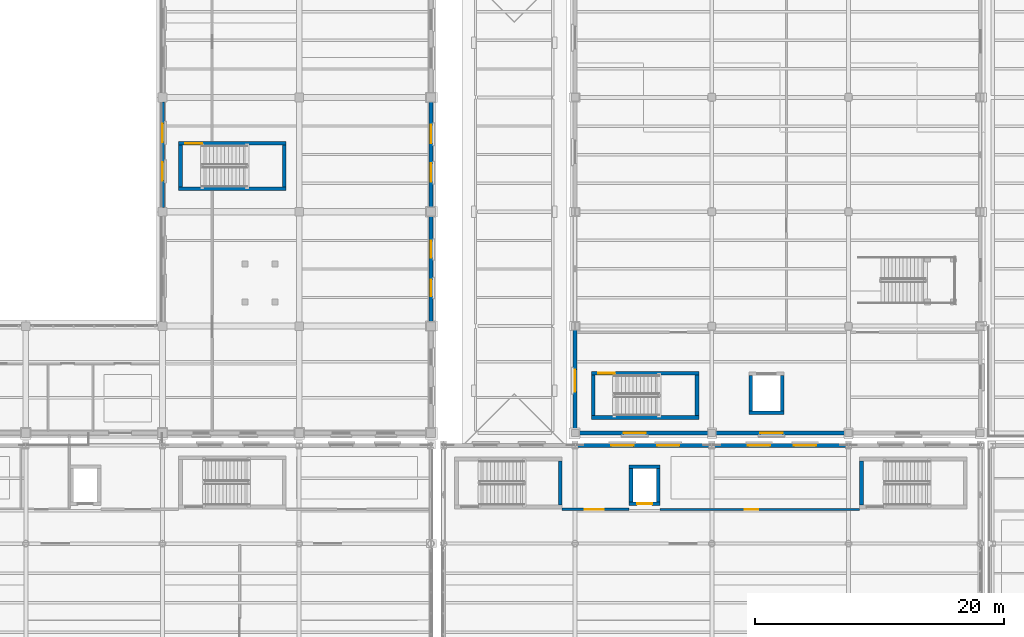
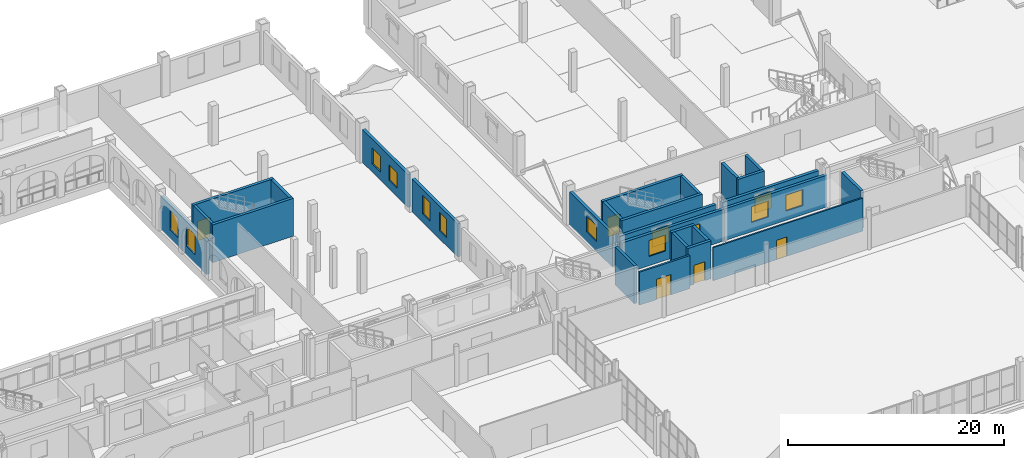
# One storey, part 126 of 156: 27 walls, 13 windows, 5 doors, 18 openings.
"""IFC4 building model written with IfcOpenShell, lengths in metres."""

from ifc_helpers import new_model, si_unit, direction, frame, frame_2d, origin, place, context, subcontext, project, spatial, rectangle, extrude, material, layer, layer_set, type_object, element, fill, save


model = new_model("IFC4")

# Units and contexts
model_context = context("Model", 3, precision=1e-05, world=origin(), true_north=direction((0.0, 1.0)))
body_context = subcontext(model_context, "Body", "Model", "MODEL_VIEW")
ifc_project = project(units=[si_unit("LENGTHUNIT", "METRE"), si_unit("AREAUNIT", "SQUARE_METRE"), si_unit("VOLUMEUNIT", "CUBIC_METRE"), si_unit("PLANEANGLEUNIT", "RADIAN"), si_unit("MASSUNIT", "GRAM", prefix="KILO")], contexts=[model_context])

# Site, building, storey
site_placement = place(None, origin())
site = spatial("IfcSite", under=ifc_project, at=site_placement, CompositionType="ELEMENT")
building_placement = place(site_placement, origin())
building = spatial("IfcBuilding", under=site, at=building_placement, Name="Caurita Quay Ferry Terminal", CompositionType="ELEMENT")
storey_placement = place(building_placement, frame((0.0, 0.0, 5.39990234375)))
storey = spatial("IfcBuildingStorey", under=building, at=storey_placement, Name="L01", CompositionType="ELEMENT", Elevation=5.39990234375)

# Wall
ifc_material_1 = material(Name="Reinforced concrete C35/45", Category="concrete")
ifc_layer_1 = layer(ifc_material_1, 0.300048828125, Name="Interior shear wall 300 mm")
ifc_layer_set_1 = layer_set([ifc_layer_1], Name="Reinforced concrete C35/45")
wall_type_1 = type_object("IfcWallType", Name="WL-CORE-300", PredefinedType="SHEAR", material=ifc_layer_set_1)
wall_1_placement = place(storey_placement, frame((67.300048828125, 91.25, 0.0), z_axis=(0.0, 0.0, 1.0), x_axis=(1.0, 0.0, 0.0)))
element("IfcWall", 1, at=wall_1_placement, inside=storey, type_object=wall_type_1, Name="L01 ST-04 Core Wall South", PredefinedType="SHEAR", context=body_context, shape_type="SweptSolid", body=[
    extrude(rectangle(XDim=8.64990234375, YDim=0.300048828125, at=frame_2d((4.324951171875, 0.0))), origin(), (0.0, 0.0, 1.0), 4.280029296875),
])

# Wall, opening, door
wall_2_placement = place(storey_placement, frame((75.949951171875, 94.909912109375, 0.0), z_axis=(0.0, 0.0, 1.0), x_axis=(-1.0, 0.0, 0.0)))
wall_2 = element("IfcWall", 2, at=wall_2_placement, inside=storey, type_object=wall_type_1, Name="L01 ST-04 Core Wall North", PredefinedType="SHEAR", context=body_context, shape_type="SweptSolid", body=[
    extrude(rectangle(XDim=8.64990234375, YDim=0.300048828125, at=frame_2d((4.324951171875, 0.0))), origin(), (0.0, 0.0, 1.0), 4.280029296875),
])
opening_1_placement = place(wall_2_placement, frame((6.75, 0.0, 0.0)))
opening_1 = element("IfcOpeningElement", 3, at=opening_1_placement, cuts=wall_2, Name="Opening SD-01", PredefinedType="OPENING", context=body_context, shape_type="SweptSolid", body=[
    extrude(rectangle(XDim=1.35009765625, YDim=2.199951171875, at=frame_2d((0.675048828125, 1.10009765625))), frame((0.0, 0.159912109375, 0.0), z_axis=(0.0, -1.0, 0.0), x_axis=(1.0, 0.0, 0.0)), (0.0, 0.0, 1.0), 0.320068359375),
])
ifc_material_2 = material(Name="Anodized aluminium 6063-T6", Category="aluminium")
door_type_1 = type_object("IfcDoorType", Name="DR-ST-1200", OperationType="NOTDEFINED", PredefinedType="DOOR", material=ifc_material_2)
door_1_placement = place(opening_1_placement, origin())
door_1 = element("IfcDoor", 4, at=door_1_placement, inside=storey, type_object=door_type_1, Name="L01 Exit Stair ST-04 Fire Door", OperationType="SINGLE_SWING_RIGHT", OverallHeight=2.199951171875, OverallWidth=1.35009765625, PredefinedType="DOOR", context=body_context, shape_type="SweptSolid", body=[
    extrude(rectangle(XDim=1.35009765625, YDim=2.199951171875, at=frame_2d((0.675048828125, 1.10009765625))), frame((0.0, 0.02490234375, 0.0), z_axis=(0.0, -1.0, 0.0), x_axis=(1.0, 0.0, 0.0)), (0.0, 0.0, 1.0), 0.050048828125),
])
fill(opening_1, door_1)

# Walls
for number, where, z_axis, x_axis, name in (
    (5, (67.449951171875, 94.760009765625, 0.0), (0.0, 0.0, 1.0), (0.0, -1.0, 0.0), "L01 ST-04 Core Wall West"),
    (6, (75.800048828125, 91.39990234375, 0.0), (0.0, 0.0, 1.0), (0.0, 1.0, 0.0), "L01 ST-04 Core Wall East"),
):
    element("IfcWall", number, at=place(storey_placement, frame(where, z_axis=z_axis, x_axis=x_axis)), inside=storey, type_object=wall_type_1, Name=name, PredefinedType="SHEAR", context=body_context, shape_type="SweptSolid", body=[
        extrude(rectangle(XDim=3.360107421875, YDim=0.300048828125, at=frame_2d((1.68017578125, 0.0))), origin(), (0.0, 0.0, 1.0), 4.280029296875),
    ])
for number, where, z_axis, x_axis, name in (
    (7, (98.0, 65.800048828125, 0.0), (0.0, 0.0, 1.0), (0.0, 1.0, 0.0), "L01 ST-08 Core Wall East"),
    (8, (122.25, 69.360107421875, 0.0), (0.0, 0.0, 1.0), (0.0, -1.0, 0.0), "L01 ST-09 Core Wall West"),
):
    element("IfcWall", number, at=place(storey_placement, frame(where, z_axis=z_axis, x_axis=x_axis)), inside=storey, type_object=wall_type_1, Name=name, PredefinedType="SHEAR", context=body_context, shape_type="SweptSolid", body=[
        extrude(rectangle(XDim=3.56005859375, YDim=0.300048828125, at=frame_2d((1.780029296875, 0.0))), origin(), (0.0, 0.0, 1.0), 4.280029296875),
    ])
wall_3_placement = place(storey_placement, frame((100.5, 72.85009765625, 0.0), z_axis=(0.0, 0.0, 1.0), x_axis=(1.0, 0.0, 0.0)))
element("IfcWall", 9, at=wall_3_placement, inside=storey, type_object=wall_type_1, Name="L01 ST-12 Core Wall South", PredefinedType="SHEAR", context=body_context, shape_type="SweptSolid", body=[
    extrude(rectangle(XDim=8.64990234375, YDim=0.300048828125, at=frame_2d((4.324951171875, 0.0))), origin(), (0.0, 0.0, 1.0), 4.2900390625),
])

# Wall, opening, door
wall_4_placement = place(storey_placement, frame((109.14990234375, 76.409912109375, 0.0), z_axis=(0.0, 0.0, 1.0), x_axis=(-1.0, 0.0, 0.0)))
wall_4 = element("IfcWall", 10, at=wall_4_placement, inside=storey, type_object=wall_type_1, Name="L01 ST-12 Core Wall North", PredefinedType="SHEAR", context=body_context, shape_type="SweptSolid", body=[
    extrude(rectangle(XDim=8.64990234375, YDim=0.300048828125, at=frame_2d((4.324951171875, 0.0))), origin(), (0.0, 0.0, 1.0), 4.2900390625),
])
opening_2_placement = place(wall_4_placement, frame((6.75, 0.0, 0.0)))
opening_2 = element("IfcOpeningElement", 11, at=opening_2_placement, cuts=wall_4, Name="Opening SD-01", PredefinedType="OPENING", context=body_context, shape_type="SweptSolid", body=[
    extrude(rectangle(XDim=1.35009765625, YDim=2.199951171875, at=frame_2d((0.675048828125, 1.10009765625))), frame((0.0, 0.159912109375, 0.0), z_axis=(0.0, -1.0, 0.0), x_axis=(1.0, 0.0, 0.0)), (0.0, 0.0, 1.0), 0.320068359375),
])
door_2_placement = place(opening_2_placement, origin())
door_2 = element("IfcDoor", 12, at=door_2_placement, inside=storey, type_object=door_type_1, Name="L01 Exit Stair ST-12 Fire Door", OperationType="SINGLE_SWING_LEFT", OverallHeight=2.199951171875, OverallWidth=1.35009765625, PredefinedType="DOOR", context=body_context, shape_type="SweptSolid", body=[
    extrude(rectangle(XDim=1.35009765625, YDim=2.199951171875, at=frame_2d((0.675048828125, 1.10009765625))), frame((0.0, 0.02490234375, 0.0), z_axis=(0.0, -1.0, 0.0), x_axis=(1.0, 0.0, 0.0)), (0.0, 0.0, 1.0), 0.050048828125),
])
fill(opening_2, door_2)

# Walls
for number, where, z_axis, x_axis, name in (
    (13, (100.64990234375, 76.260009765625, 0.0), (0.0, 0.0, 1.0), (0.0, -1.0, 0.0), "L01 ST-12 Core Wall West"),
    (14, (109.0, 73.0, 0.0), (0.0, 0.0, 1.0), (0.0, 1.0, 0.0), "L01 ST-12 Core Wall East"),
):
    element("IfcWall", number, at=place(storey_placement, frame(where, z_axis=z_axis, x_axis=x_axis)), inside=storey, type_object=wall_type_1, Name=name, PredefinedType="SHEAR", context=body_context, shape_type="SweptSolid", body=[
        extrude(rectangle(XDim=3.260009765625, YDim=0.300048828125, at=frame_2d((1.6298828125, 0.0))), origin(), (0.0, 0.0, 1.0), 4.2900390625),
    ])

# Wall, opening, door
wall_5_placement = place(storey_placement, frame((103.554931640625, 65.905029296875, 0.0), z_axis=(0.0, 0.0, 1.0), x_axis=(1.0, 0.0, 0.0)))
wall_5 = element("IfcWall", 15, at=wall_5_placement, inside=storey, type_object=wall_type_1, Name="L01 Lift LP-03 Shaft Wall South", PredefinedType="SHEAR", context=body_context, shape_type="SweptSolid", body=[
    extrude(rectangle(XDim=2.489990234375, YDim=0.300048828125, at=frame_2d((1.2451171875, 0.0))), origin(), (0.0, 0.0, 1.0), 4.280029296875),
])
opening_3_placement = place(wall_5_placement, frame((0.64501953125, 0.0, 0.0)))
opening_3 = element("IfcOpeningElement", 16, at=opening_3_placement, cuts=wall_5, Name="Opening LD-02", PredefinedType="OPENING", context=body_context, shape_type="SweptSolid", body=[
    extrude(rectangle(XDim=1.199951171875, YDim=2.14990234375, at=frame_2d((0.60009765625, 1.074951171875))), frame((0.0, 0.159912109375, 0.0), z_axis=(0.0, -1.0, 0.0), x_axis=(1.0, 0.0, 0.0)), (0.0, 0.0, 1.0), 0.320068359375),
])
ifc_material_3 = material(Name="Bronze architectural metalwork", Category="metal")
door_type_2 = type_object("IfcDoorType", Name="DR-LD-02", OperationType="DOUBLE_DOOR_SLIDING", PredefinedType="DOOR", material=ifc_material_3)
door_3_placement = place(opening_3_placement, frame((1.199951171875, 0.0, 0.0), z_axis=(0.0, 0.0, 1.0), x_axis=(-1.0, 0.0, 0.0)))
door_3 = element("IfcDoor", 17, at=door_3_placement, inside=storey, type_object=door_type_2, Name="L01 Lift LP-03 Sliding Landing Door", OperationType="DOUBLE_DOOR_SLIDING", OverallHeight=2.14990234375, OverallWidth=1.199951171875, PredefinedType="DOOR", context=body_context, shape_type="SweptSolid", body=[
    extrude(rectangle(XDim=1.199951171875, YDim=2.14990234375, at=frame_2d((0.60009765625, 1.074951171875))), frame((0.0, 0.02490234375, 0.0), z_axis=(0.0, -1.0, 0.0), x_axis=(1.0, 0.0, 0.0)), (0.0, 0.0, 1.0), 0.050048828125),
])
fill(opening_3, door_3)

# Walls
wall_6_placement = place(storey_placement, frame((106.044921875, 68.89501953125, 0.0), z_axis=(0.0, 0.0, 1.0), x_axis=(-1.0, 0.0, 0.0)))
element("IfcWall", 18, at=wall_6_placement, inside=storey, type_object=wall_type_1, Name="L01 Lift LP-03 Shaft Wall North", PredefinedType="SHEAR", context=body_context, shape_type="SweptSolid", body=[
    extrude(rectangle(XDim=2.489990234375, YDim=0.300048828125, at=frame_2d((1.2451171875, 0.0))), origin(), (0.0, 0.0, 1.0), 4.280029296875),
])
for number, where, z_axis, x_axis, name in (
    (19, (103.705078125, 68.7451171875, 0.0), (0.0, 0.0, 1.0), (0.0, -1.0, 0.0), "L01 Lift LP-03 Shaft Wall West"),
    (20, (105.89501953125, 66.054931640625, 0.0), (0.0, 0.0, 1.0), (0.0, 1.0, 0.0), "L01 Lift LP-03 Shaft Wall East"),
):
    element("IfcWall", number, at=place(storey_placement, frame(where, z_axis=z_axis, x_axis=x_axis)), inside=storey, type_object=wall_type_1, Name=name, PredefinedType="SHEAR", context=body_context, shape_type="SweptSolid", body=[
        extrude(rectangle(XDim=2.690185546875, YDim=0.300048828125, at=frame_2d((1.34521484375, 0.0))), origin(), (0.0, 0.0, 1.0), 4.280029296875),
    ])
for number, where, z_axis, x_axis, name in (
    (21, (113.179931640625, 73.22998046875, 0.0), (0.0, 0.0, 1.0), (1.0, 0.0, 0.0), "L01 Lift LG-01 Shaft Wall South"),
    (22, (113.330078125, 76.219970703125, 0.0), (0.0, 0.0, 1.0), (0.0, -1.0, 0.0), "L01 Lift LG-01 Shaft Wall West"),
    (23, (115.8701171875, 73.3798828125, 0.0), (0.0, 0.0, 1.0), (0.0, 1.0, 0.0), "L01 Lift LG-01 Shaft Wall East"),
):
    element("IfcWall", number, at=place(storey_placement, frame(where, z_axis=z_axis, x_axis=x_axis)), inside=storey, type_object=wall_type_1, Name=name, PredefinedType="SHEAR", context=body_context, shape_type="SweptSolid", body=[
        extrude(rectangle(XDim=2.840087890625, YDim=0.300048828125, at=frame_2d((1.419921875, 0.0))), origin(), (0.0, 0.0, 1.0), 4.2900390625),
    ])

# Wall, opening, door
ifc_material_4 = material(Name="Warm-white lime stucco masonry", Category="masonry")
ifc_layer_2 = layer(ifc_material_4, 0.199951171875, Name="Interior partitioning wall 200 mm")
ifc_layer_set_2 = layer_set([ifc_layer_2], Name="Warm-white lime stucco masonry")
wall_type_2 = type_object("IfcWallType", Name="WL-CORR-200", PredefinedType="PARTITIONING", material=ifc_layer_set_2)
wall_7_placement = place(storey_placement, frame((98.159912109375, 65.449951171875, 0.0), z_axis=(0.0, 0.0, 1.0), x_axis=(1.0, 0.0, 0.0)))
wall_7 = element("IfcWall", 24, at=wall_7_placement, inside=storey, type_object=wall_type_2, Name="L01 Interior Partition IW-L01-049", PredefinedType="PARTITIONING", context=body_context, shape_type="SweptSolid", body=[
    extrude(rectangle(XDim=5.39013671875, YDim=0.199951171875, at=frame_2d((2.695068359375, 0.0))), origin(), (0.0, 0.0, 1.0), 3.739013671875),
])
opening_4_placement = place(wall_7_placement, frame((1.800048828125, 0.0, 0.0)))
opening_4 = element("IfcOpeningElement", 25, at=opening_4_placement, cuts=wall_7, Name="Opening ID-10", PredefinedType="OPENING", context=body_context, shape_type="SweptSolid", body=[
    extrude(rectangle(XDim=1.550048828125, YDim=2.300048828125, at=frame_2d((0.77490234375, 1.14990234375))), frame((0.0, 0.10986328125, 0.0), z_axis=(0.0, -1.0, 0.0), x_axis=(1.0, 0.0, 0.0)), (0.0, 0.0, 1.0), 0.219970703125),
])
ifc_material_5 = material(Name="Tropical mahogany hardwood", Category="wood")
door_type_3 = type_object("IfcDoorType", Name="DR-CONC-1550", OperationType="NOTDEFINED", PredefinedType="DOOR", material=ifc_material_5)
door_4_placement = place(opening_4_placement, origin())
door_4 = element("IfcDoor", 26, at=door_4_placement, inside=storey, type_object=door_type_3, Name="Arrivals Lift Lobby L01 Door", OperationType="SINGLE_SWING_LEFT", OverallHeight=2.300048828125, OverallWidth=1.550048828125, PredefinedType="DOOR", context=body_context, shape_type="SweptSolid", body=[
    extrude(rectangle(XDim=1.550048828125, YDim=2.300048828125, at=frame_2d((0.77490234375, 1.14990234375))), frame((0.0, 0.02490234375, 0.0), z_axis=(0.0, -1.0, 0.0), x_axis=(1.0, 0.0, 0.0)), (0.0, 0.0, 1.0), 0.050048828125),
])
fill(opening_4, door_4)

# Wall, openings, windows
ifc_layer_3 = layer(ifc_material_4, 0.31005859375, Name="Exterior solidwall wall 310 mm")
ifc_layer_set_3 = layer_set([ifc_layer_3], Name="Warm-white lime stucco masonry")
wall_type_3 = type_object("IfcWallType", Name="WL-EXT-310", PredefinedType="SOLIDWALL", material=ifc_layer_set_3)
wall_8_placement = place(storey_placement, frame((87.60009765625, 80.548095703125, 0.0), z_axis=(0.0, 0.0, 1.0), x_axis=(0.0, 1.0, 0.0)))
wall_8 = element("IfcWall", 27, at=wall_8_placement, inside=storey, type_object=wall_type_3, Name="L01 Exterior Wall EW-L01-089", PredefinedType="SOLIDWALL", context=body_context, shape_type="SweptSolid", body=[
    extrude(rectangle(XDim=8.50390625, YDim=0.31005859375, at=frame_2d((4.251953125, 0.0))), origin(), (0.0, 0.0, 1.0), 3.735107421875),
])
opening_5_placement = place(wall_8_placement, frame((2.052001953125, 0.0, 0.949951171875)))
opening_5 = element("IfcOpeningElement", 28, at=opening_5_placement, cuts=wall_8, Name="Opening W-05", PredefinedType="OPENING", context=body_context, shape_type="SweptSolid", body=[
    extrude(rectangle(XDim=1.35009765625, YDim=2.10009765625, at=frame_2d((0.675048828125, 1.050048828125))), frame((0.0, 0.1650390625, 0.0), z_axis=(0.0, -1.0, 0.0), x_axis=(1.0, 0.0, 0.0)), (0.0, 0.0, 1.0), 0.330078125),
])
opening_6_placement = place(wall_8_placement, frame((5.152099609375, 0.0, 0.949951171875)))
opening_6 = element("IfcOpeningElement", 29, at=opening_6_placement, cuts=wall_8, Name="Opening W-05", PredefinedType="OPENING", context=body_context, shape_type="SweptSolid", body=[
    extrude(rectangle(XDim=1.35009765625, YDim=2.10009765625, at=frame_2d((0.675048828125, 1.050048828125))), frame((0.0, 0.1650390625, 0.0), z_axis=(0.0, -1.0, 0.0), x_axis=(1.0, 0.0, 0.0)), (0.0, 0.0, 1.0), 0.330078125),
])
ifc_material_6 = material(Name="Laminated solar-control insulated glass", Category="glass")
window_type_1 = type_object("IfcWindowType", Name="WIN-SC-13521", PartitioningType="SINGLE_PANEL", PredefinedType="WINDOW", material=ifc_material_6)
window_1_placement = place(opening_5_placement, origin())
window_1 = element("IfcWindow", 30, at=window_1_placement, inside=storey, type_object=window_type_1, Name="L01 Casement Window WN-L01-133", OverallHeight=2.10009765625, OverallWidth=1.35009765625, PartitioningType="SINGLE_PANEL", PredefinedType="WINDOW", context=body_context, shape_type="SweptSolid", body=[
    extrude(rectangle(XDim=1.35009765625, YDim=2.10009765625, at=frame_2d((0.675048828125, 1.050048828125))), frame((0.0, 0.030029296875, 0.0), z_axis=(0.0, -1.0, 0.0), x_axis=(1.0, 0.0, 0.0)), (0.0, 0.0, 1.0), 0.06005859375),
])
fill(opening_5, window_1)
window_2_placement = place(opening_6_placement, origin())
window_2 = element("IfcWindow", 31, at=window_2_placement, inside=storey, type_object=window_type_1, Name="L01 Casement Window WN-L01-134", OverallHeight=2.10009765625, OverallWidth=1.35009765625, PartitioningType="SINGLE_PANEL", PredefinedType="WINDOW", context=body_context, shape_type="SweptSolid", body=[
    extrude(rectangle(XDim=1.35009765625, YDim=2.10009765625, at=frame_2d((0.675048828125, 1.050048828125))), frame((0.0, 0.030029296875, 0.0), z_axis=(0.0, -1.0, 0.0), x_axis=(1.0, 0.0, 0.0)), (0.0, 0.0, 1.0), 0.06005859375),
])
fill(opening_6, window_2)

wall_9_placement = place(storey_placement, frame((87.60009765625, 89.748046875, 0.0), z_axis=(0.0, 0.0, 1.0), x_axis=(0.0, 1.0, 0.0)))
wall_9 = element("IfcWall", 32, at=wall_9_placement, inside=storey, type_object=wall_type_3, Name="L01 Exterior Wall EW-L01-090", PredefinedType="SOLIDWALL", context=body_context, shape_type="SweptSolid", body=[
    extrude(rectangle(XDim=8.50390625, YDim=0.31005859375, at=frame_2d((4.251953125, 0.0))), origin(), (0.0, 0.0, 1.0), 3.735107421875),
])
opening_7_placement = place(wall_9_placement, frame((2.052001953125, 0.0, 0.949951171875)))
opening_7 = element("IfcOpeningElement", 33, at=opening_7_placement, cuts=wall_9, Name="Opening W-06", PredefinedType="OPENING", context=body_context, shape_type="SweptSolid", body=[
    extrude(rectangle(XDim=1.5, YDim=1.800048828125, at=frame_2d((0.75, 0.89990234375))), frame((0.0, 0.1650390625, 0.0), z_axis=(0.0, -1.0, 0.0), x_axis=(1.0, 0.0, 0.0)), (0.0, 0.0, 1.0), 0.330078125),
])
opening_8_placement = place(wall_9_placement, frame((5.152099609375, 0.0, 0.949951171875)))
opening_8 = element("IfcOpeningElement", 34, at=opening_8_placement, cuts=wall_9, Name="Opening W-06", PredefinedType="OPENING", context=body_context, shape_type="SweptSolid", body=[
    extrude(rectangle(XDim=1.5, YDim=1.800048828125, at=frame_2d((0.75, 0.89990234375))), frame((0.0, 0.1650390625, 0.0), z_axis=(0.0, -1.0, 0.0), x_axis=(1.0, 0.0, 0.0)), (0.0, 0.0, 1.0), 0.330078125),
])
window_type_2 = type_object("IfcWindowType", Name="WIN-SC-1518", PartitioningType="SINGLE_PANEL", PredefinedType="WINDOW", material=ifc_material_6)
window_3_placement = place(opening_7_placement, origin())
window_3 = element("IfcWindow", 35, at=window_3_placement, inside=storey, type_object=window_type_2, Name="L01 Casement Window WN-L01-135", OverallHeight=1.800048828125, OverallWidth=1.5, PartitioningType="SINGLE_PANEL", PredefinedType="WINDOW", context=body_context, shape_type="SweptSolid", body=[
    extrude(rectangle(XDim=1.5, YDim=1.800048828125, at=frame_2d((0.75, 0.89990234375))), frame((0.0, 0.030029296875, 0.0), z_axis=(0.0, -1.0, 0.0), x_axis=(1.0, 0.0, 0.0)), (0.0, 0.0, 1.0), 0.06005859375),
])
fill(opening_7, window_3)
window_4_placement = place(opening_8_placement, origin())
window_4 = element("IfcWindow", 36, at=window_4_placement, inside=storey, type_object=window_type_2, Name="L01 Casement Window WN-L01-136", OverallHeight=1.800048828125, OverallWidth=1.5, PartitioningType="SINGLE_PANEL", PredefinedType="WINDOW", context=body_context, shape_type="SweptSolid", body=[
    extrude(rectangle(XDim=1.5, YDim=1.800048828125, at=frame_2d((0.75, 0.89990234375))), frame((0.0, 0.030029296875, 0.0), z_axis=(0.0, -1.0, 0.0), x_axis=(1.0, 0.0, 0.0)), (0.0, 0.0, 1.0), 0.06005859375),
])
fill(opening_8, window_4)

wall_10_placement = place(storey_placement, frame((66.0, 89.748046875, 0.0), z_axis=(0.0, 0.0, 1.0), x_axis=(0.0, 1.0, 0.0)))
wall_10 = element("IfcWall", 37, at=wall_10_placement, inside=storey, type_object=wall_type_3, Name="L01 Exterior Wall EW-L01-132", PredefinedType="SOLIDWALL", context=body_context, shape_type="SweptSolid", body=[
    extrude(rectangle(XDim=8.50390625, YDim=0.31005859375, at=frame_2d((4.251953125, 0.0))), origin(), (0.0, 0.0, 1.0), 3.72509765625),
])
opening_9_placement = place(wall_10_placement, frame((2.152099609375, 0.0, 0.949951171875)))
opening_9 = element("IfcOpeningElement", 38, at=opening_9_placement, cuts=wall_10, Name="Opening W-07", PredefinedType="OPENING", context=body_context, shape_type="SweptSolid", body=[
    extrude(rectangle(XDim=1.5, YDim=2.25, at=frame_2d((0.75, 1.125))), frame((0.0, 0.1650390625, 0.0), z_axis=(0.0, -1.0, 0.0), x_axis=(1.0, 0.0, 0.0)), (0.0, 0.0, 1.0), 0.330078125),
])
opening_10_placement = place(wall_10_placement, frame((5.251953125, 0.0, 0.949951171875)))
opening_10 = element("IfcOpeningElement", 39, at=opening_10_placement, cuts=wall_10, Name="Opening W-07", PredefinedType="OPENING", context=body_context, shape_type="SweptSolid", body=[
    extrude(rectangle(XDim=1.5, YDim=2.25, at=frame_2d((0.75, 1.125))), frame((0.0, 0.1650390625, 0.0), z_axis=(0.0, -1.0, 0.0), x_axis=(1.0, 0.0, 0.0)), (0.0, 0.0, 1.0), 0.330078125),
])
window_type_3 = type_object("IfcWindowType", Name="WIN-SC-1522", PartitioningType="SINGLE_PANEL", PredefinedType="WINDOW", material=ifc_material_6)
window_5_placement = place(opening_9_placement, origin())
window_5 = element("IfcWindow", 40, at=window_5_placement, inside=storey, type_object=window_type_3, Name="L01 Casement Window WN-L01-203", OverallHeight=2.25, OverallWidth=1.5, PartitioningType="SINGLE_PANEL", PredefinedType="WINDOW", context=body_context, shape_type="SweptSolid", body=[
    extrude(rectangle(XDim=1.5, YDim=2.25, at=frame_2d((0.75, 1.125))), frame((0.0, 0.030029296875, 0.0), z_axis=(0.0, -1.0, 0.0), x_axis=(1.0, 0.0, 0.0)), (0.0, 0.0, 1.0), 0.06005859375),
])
fill(opening_9, window_5)
window_6_placement = place(opening_10_placement, origin())
window_6 = element("IfcWindow", 41, at=window_6_placement, inside=storey, type_object=window_type_3, Name="L01 Casement Window WN-L01-204", OverallHeight=2.25, OverallWidth=1.5, PartitioningType="SINGLE_PANEL", PredefinedType="WINDOW", context=body_context, shape_type="SweptSolid", body=[
    extrude(rectangle(XDim=1.5, YDim=2.25, at=frame_2d((0.75, 1.125))), frame((0.0, 0.030029296875, 0.0), z_axis=(0.0, -1.0, 0.0), x_axis=(1.0, 0.0, 0.0)), (0.0, 0.0, 1.0), 0.06005859375),
])
fill(opening_10, window_6)

wall_11_placement = place(storey_placement, frame((110.194580078125, 70.60009765625, 0.0), z_axis=(0.0, 0.0, 1.0), x_axis=(-1.0, 0.0, 0.0)))
wall_11 = element("IfcWall", 42, at=wall_11_placement, inside=storey, type_object=wall_type_3, Name="L01 Exterior Wall EW-L01-187", PredefinedType="SOLIDWALL", context=body_context, shape_type="SweptSolid", body=[
    extrude(rectangle(XDim=10.989013671875, YDim=0.31005859375, at=frame_2d((5.49462890625, 0.0))), origin(), (0.0, 0.0, 1.0), 3.592041015625),
])
opening_11_placement = place(wall_11_placement, frame((2.594482421875, 0.0, 1.050048828125)))
opening_11 = element("IfcOpeningElement", 43, at=opening_11_placement, cuts=wall_11, Name="Opening W-09", PredefinedType="OPENING", context=body_context, shape_type="SweptSolid", body=[
    extrude(rectangle(XDim=1.800048828125, YDim=1.800048828125, at=frame_2d((0.89990234375, 0.89990234375))), frame((0.0, 0.1650390625, 0.0), z_axis=(0.0, -1.0, 0.0), x_axis=(1.0, 0.0, 0.0)), (0.0, 0.0, 1.0), 0.330078125),
])
opening_12_placement = place(wall_11_placement, frame((6.29443359375, 0.0, 1.050048828125)))
opening_12 = element("IfcOpeningElement", 44, at=opening_12_placement, cuts=wall_11, Name="Opening W-09", PredefinedType="OPENING", context=body_context, shape_type="SweptSolid", body=[
    extrude(rectangle(XDim=1.800048828125, YDim=1.800048828125, at=frame_2d((0.89990234375, 0.89990234375))), frame((0.0, 0.1650390625, 0.0), z_axis=(0.0, -1.0, 0.0), x_axis=(1.0, 0.0, 0.0)), (0.0, 0.0, 1.0), 0.330078125),
])
window_type_4 = type_object("IfcWindowType", Name="WIN-SC-1818", PartitioningType="SINGLE_PANEL", PredefinedType="WINDOW", material=ifc_material_6)
window_7_placement = place(opening_11_placement, origin())
window_7 = element("IfcWindow", 45, at=window_7_placement, inside=storey, type_object=window_type_4, Name="L01 Casement Window WN-L01-283", OverallHeight=1.800048828125, OverallWidth=1.800048828125, PartitioningType="SINGLE_PANEL", PredefinedType="WINDOW", context=body_context, shape_type="SweptSolid", body=[
    extrude(rectangle(XDim=1.800048828125, YDim=1.800048828125, at=frame_2d((0.89990234375, 0.89990234375))), frame((0.0, 0.030029296875, 0.0), z_axis=(0.0, -1.0, 0.0), x_axis=(1.0, 0.0, 0.0)), (0.0, 0.0, 1.0), 0.06005859375),
])
fill(opening_11, window_7)
window_8_placement = place(opening_12_placement, origin())
window_8 = element("IfcWindow", 46, at=window_8_placement, inside=storey, type_object=window_type_4, Name="L01 Casement Window WN-L01-284", OverallHeight=1.800048828125, OverallWidth=1.800048828125, PartitioningType="SINGLE_PANEL", PredefinedType="WINDOW", context=body_context, shape_type="SweptSolid", body=[
    extrude(rectangle(XDim=1.800048828125, YDim=1.800048828125, at=frame_2d((0.89990234375, 0.89990234375))), frame((0.0, 0.030029296875, 0.0), z_axis=(0.0, -1.0, 0.0), x_axis=(1.0, 0.0, 0.0)), (0.0, 0.0, 1.0), 0.06005859375),
])
fill(opening_12, window_8)

wall_12_placement = place(storey_placement, frame((121.194580078125, 70.60009765625, 0.0), z_axis=(0.0, 0.0, 1.0), x_axis=(-1.0, 0.0, 0.0)))
wall_12 = element("IfcWall", 47, at=wall_12_placement, inside=storey, type_object=wall_type_3, Name="L01 Exterior Wall EW-L01-188", PredefinedType="SOLIDWALL", context=body_context, shape_type="SweptSolid", body=[
    extrude(rectangle(XDim=10.989013671875, YDim=0.31005859375, at=frame_2d((5.49462890625, 0.0))), origin(), (0.0, 0.0, 1.0), 3.592041015625),
])
opening_13_placement = place(wall_12_placement, frame((2.594482421875, 0.0, 1.050048828125)))
opening_13 = element("IfcOpeningElement", 48, at=opening_13_placement, cuts=wall_12, Name="Opening W-09", PredefinedType="OPENING", context=body_context, shape_type="SweptSolid", body=[
    extrude(rectangle(XDim=1.800048828125, YDim=1.800048828125, at=frame_2d((0.89990234375, 0.89990234375))), frame((0.0, 0.1650390625, 0.0), z_axis=(0.0, -1.0, 0.0), x_axis=(1.0, 0.0, 0.0)), (0.0, 0.0, 1.0), 0.330078125),
])
opening_14_placement = place(wall_12_placement, frame((6.29443359375, 0.0, 1.050048828125)))
opening_14 = element("IfcOpeningElement", 49, at=opening_14_placement, cuts=wall_12, Name="Opening W-09", PredefinedType="OPENING", context=body_context, shape_type="SweptSolid", body=[
    extrude(rectangle(XDim=1.800048828125, YDim=1.800048828125, at=frame_2d((0.89990234375, 0.89990234375))), frame((0.0, 0.1650390625, 0.0), z_axis=(0.0, -1.0, 0.0), x_axis=(1.0, 0.0, 0.0)), (0.0, 0.0, 1.0), 0.330078125),
])
window_9_placement = place(opening_13_placement, origin())
window_9 = element("IfcWindow", 50, at=window_9_placement, inside=storey, type_object=window_type_4, Name="L01 Casement Window WN-L01-285", OverallHeight=1.800048828125, OverallWidth=1.800048828125, PartitioningType="SINGLE_PANEL", PredefinedType="WINDOW", context=body_context, shape_type="SweptSolid", body=[
    extrude(rectangle(XDim=1.800048828125, YDim=1.800048828125, at=frame_2d((0.89990234375, 0.89990234375))), frame((0.0, 0.030029296875, 0.0), z_axis=(0.0, -1.0, 0.0), x_axis=(1.0, 0.0, 0.0)), (0.0, 0.0, 1.0), 0.06005859375),
])
fill(opening_13, window_9)
window_10_placement = place(opening_14_placement, origin())
window_10 = element("IfcWindow", 51, at=window_10_placement, inside=storey, type_object=window_type_4, Name="L01 Casement Window WN-L01-286", OverallHeight=1.800048828125, OverallWidth=1.800048828125, PartitioningType="SINGLE_PANEL", PredefinedType="WINDOW", context=body_context, shape_type="SweptSolid", body=[
    extrude(rectangle(XDim=1.800048828125, YDim=1.800048828125, at=frame_2d((0.89990234375, 0.89990234375))), frame((0.0, 0.030029296875, 0.0), z_axis=(0.0, -1.0, 0.0), x_axis=(1.0, 0.0, 0.0)), (0.0, 0.0, 1.0), 0.06005859375),
])
fill(opening_14, window_10)

# Wall, opening, window
wall_13_placement = place(storey_placement, frame((99.199951171875, 79.902099609375, 0.0), z_axis=(0.0, 0.0, 1.0), x_axis=(0.0, -1.0, 0.0)))
wall_13 = element("IfcWall", 52, at=wall_13_placement, inside=storey, type_object=wall_type_3, Name="L01 Exterior Wall EW-L01-238", PredefinedType="SOLIDWALL", context=body_context, shape_type="SweptSolid", body=[
    extrude(rectangle(XDim=8.004150390625, YDim=0.31005859375, at=frame_2d((4.001953125, 0.0))), origin(), (0.0, 0.0, 1.0), 3.7490234375),
])
opening_15_placement = place(wall_13_placement, frame((3.201904296875, 0.0, 1.10009765625)))
opening_15 = element("IfcOpeningElement", 53, at=opening_15_placement, cuts=wall_13, Name="Opening W-09", PredefinedType="OPENING", context=body_context, shape_type="SweptSolid", body=[
    extrude(rectangle(XDim=1.800048828125, YDim=1.800048828125, at=frame_2d((0.89990234375, 0.89990234375))), frame((0.0, 0.1650390625, 0.0), z_axis=(0.0, -1.0, 0.0), x_axis=(1.0, 0.0, 0.0)), (0.0, 0.0, 1.0), 0.330078125),
])
window_11_placement = place(opening_15_placement, origin())
window_11 = element("IfcWindow", 54, at=window_11_placement, inside=storey, type_object=window_type_4, Name="L01 Casement Window WN-L01-335", OverallHeight=1.800048828125, OverallWidth=1.800048828125, PartitioningType="SINGLE_PANEL", PredefinedType="WINDOW", context=body_context, shape_type="SweptSolid", body=[
    extrude(rectangle(XDim=1.800048828125, YDim=1.800048828125, at=frame_2d((0.89990234375, 0.89990234375))), frame((0.0, 0.030029296875, 0.0), z_axis=(0.0, -1.0, 0.0), x_axis=(1.0, 0.0, 0.0)), (0.0, 0.0, 1.0), 0.06005859375),
])
fill(opening_15, window_11)

wall_14_placement = place(storey_placement, frame((99.498046875, 71.60009765625, 0.0), z_axis=(0.0, 0.0, 1.0), x_axis=(1.0, 0.0, 0.0)))
wall_14 = element("IfcWall", 55, at=wall_14_placement, inside=storey, type_object=wall_type_3, Name="L01 Exterior Wall EW-L01-253", PredefinedType="SOLIDWALL", context=body_context, shape_type="SweptSolid", body=[
    extrude(rectangle(XDim=10.404052734375, YDim=0.31005859375, at=frame_2d((5.2021484375, 0.0))), origin(), (0.0, 0.0, 1.0), 3.60205078125),
])
opening_16_placement = place(wall_14_placement, frame((3.60205078125, 0.0, 1.050048828125)))
opening_16 = element("IfcOpeningElement", 56, at=opening_16_placement, cuts=wall_14, Name="Opening W-09", PredefinedType="OPENING", context=body_context, shape_type="SweptSolid", body=[
    extrude(rectangle(XDim=1.800048828125, YDim=1.800048828125, at=frame_2d((0.89990234375, 0.89990234375))), frame((0.0, 0.1650390625, 0.0), z_axis=(0.0, -1.0, 0.0), x_axis=(1.0, 0.0, 0.0)), (0.0, 0.0, 1.0), 0.330078125),
])
window_12_placement = place(opening_16_placement, origin())
window_12 = element("IfcWindow", 57, at=window_12_placement, inside=storey, type_object=window_type_4, Name="L01 Casement Window WN-L01-348", OverallHeight=1.800048828125, OverallWidth=1.800048828125, PartitioningType="SINGLE_PANEL", PredefinedType="WINDOW", context=body_context, shape_type="SweptSolid", body=[
    extrude(rectangle(XDim=1.800048828125, YDim=1.800048828125, at=frame_2d((0.89990234375, 0.89990234375))), frame((0.0, 0.030029296875, 0.0), z_axis=(0.0, -1.0, 0.0), x_axis=(1.0, 0.0, 0.0)), (0.0, 0.0, 1.0), 0.06005859375),
])
fill(opening_16, window_12)

wall_15_placement = place(storey_placement, frame((110.498046875, 71.60009765625, 0.0), z_axis=(0.0, 0.0, 1.0), x_axis=(1.0, 0.0, 0.0)))
wall_15 = element("IfcWall", 58, at=wall_15_placement, inside=storey, type_object=wall_type_3, Name="L01 Exterior Wall EW-L01-254", PredefinedType="SOLIDWALL", context=body_context, shape_type="SweptSolid", body=[
    extrude(rectangle(XDim=10.404052734375, YDim=0.31005859375, at=frame_2d((5.2021484375, 0.0))), origin(), (0.0, 0.0, 1.0), 3.60205078125),
])
opening_17_placement = place(wall_15_placement, frame((3.60205078125, 0.0, 1.050048828125)))
opening_17 = element("IfcOpeningElement", 59, at=opening_17_placement, cuts=wall_15, Name="Opening W-09", PredefinedType="OPENING", context=body_context, shape_type="SweptSolid", body=[
    extrude(rectangle(XDim=1.800048828125, YDim=1.800048828125, at=frame_2d((0.89990234375, 0.89990234375))), frame((0.0, 0.1650390625, 0.0), z_axis=(0.0, -1.0, 0.0), x_axis=(1.0, 0.0, 0.0)), (0.0, 0.0, 1.0), 0.330078125),
])
window_13_placement = place(opening_17_placement, origin())
window_13 = element("IfcWindow", 60, at=window_13_placement, inside=storey, type_object=window_type_4, Name="L01 Casement Window WN-L01-349", OverallHeight=1.800048828125, OverallWidth=1.800048828125, PartitioningType="SINGLE_PANEL", PredefinedType="WINDOW", context=body_context, shape_type="SweptSolid", body=[
    extrude(rectangle(XDim=1.800048828125, YDim=1.800048828125, at=frame_2d((0.89990234375, 0.89990234375))), frame((0.0, 0.030029296875, 0.0), z_axis=(0.0, -1.0, 0.0), x_axis=(1.0, 0.0, 0.0)), (0.0, 0.0, 1.0), 0.06005859375),
])
fill(opening_17, window_13)

# Wall, opening, door
ifc_material_7 = material(Name="Gypsum board partition", Category="masonry")
ifc_layer_4 = layer(ifc_material_7, 0.159912109375, Name="Interior partitioning wall 160 mm")
ifc_layer_set_4 = layer_set([ifc_layer_4], Name="Gypsum board partition")
wall_type_4 = type_object("IfcWallType", Name="WL-PART-160", PredefinedType="PARTITIONING", material=ifc_layer_set_4)
wall_16_placement = place(storey_placement, frame((106.050048828125, 65.449951171875, 0.0), z_axis=(0.0, 0.0, 1.0), x_axis=(1.0, 0.0, 0.0)))
wall_16 = element("IfcWall", 61, at=wall_16_placement, inside=storey, type_object=wall_type_4, Name="L01 Interior Partition IW-L01-050", PredefinedType="PARTITIONING", context=body_context, shape_type="SweptSolid", body=[
    extrude(rectangle(XDim=16.0400390625, YDim=0.159912109375, at=frame_2d((8.02001953125, 0.0))), origin(), (0.0, 0.0, 1.0), 3.739013671875),
])
opening_18_placement = place(wall_16_placement, frame((6.800048828125, 0.0, 0.0)))
opening_18 = element("IfcOpeningElement", 62, at=opening_18_placement, cuts=wall_16, Name="Opening ID-11", PredefinedType="OPENING", context=body_context, shape_type="SweptSolid", body=[
    extrude(rectangle(XDim=1.10009765625, YDim=2.199951171875, at=frame_2d((0.550048828125, 1.10009765625))), frame((0.0, 0.08984375, 0.0), z_axis=(0.0, -1.0, 0.0), x_axis=(1.0, 0.0, 0.0)), (0.0, 0.0, 1.0), 0.179931640625),
])
door_type_4 = type_object("IfcDoorType", Name="DR-OFF-1100", OperationType="NOTDEFINED", PredefinedType="DOOR", material=ifc_material_5)
door_5_placement = place(opening_18_placement, frame((1.10009765625, 0.0, 0.0), z_axis=(0.0, 0.0, 1.0), x_axis=(-1.0, 0.0, 0.0)))
door_5 = element("IfcDoor", 63, at=door_5_placement, inside=storey, type_object=door_type_4, Name="Immigration Secondary Interview Door", OperationType="SINGLE_SWING_RIGHT", OverallHeight=2.199951171875, OverallWidth=1.10009765625, PredefinedType="DOOR", context=body_context, shape_type="SweptSolid", body=[
    extrude(rectangle(XDim=1.10009765625, YDim=2.199951171875, at=frame_2d((0.550048828125, 1.10009765625))), frame((0.0, 0.02490234375, 0.0), z_axis=(0.0, -1.0, 0.0), x_axis=(1.0, 0.0, 0.0)), (0.0, 0.0, 1.0), 0.050048828125),
])
fill(opening_18, door_5)

save(model, "model.ifc")
